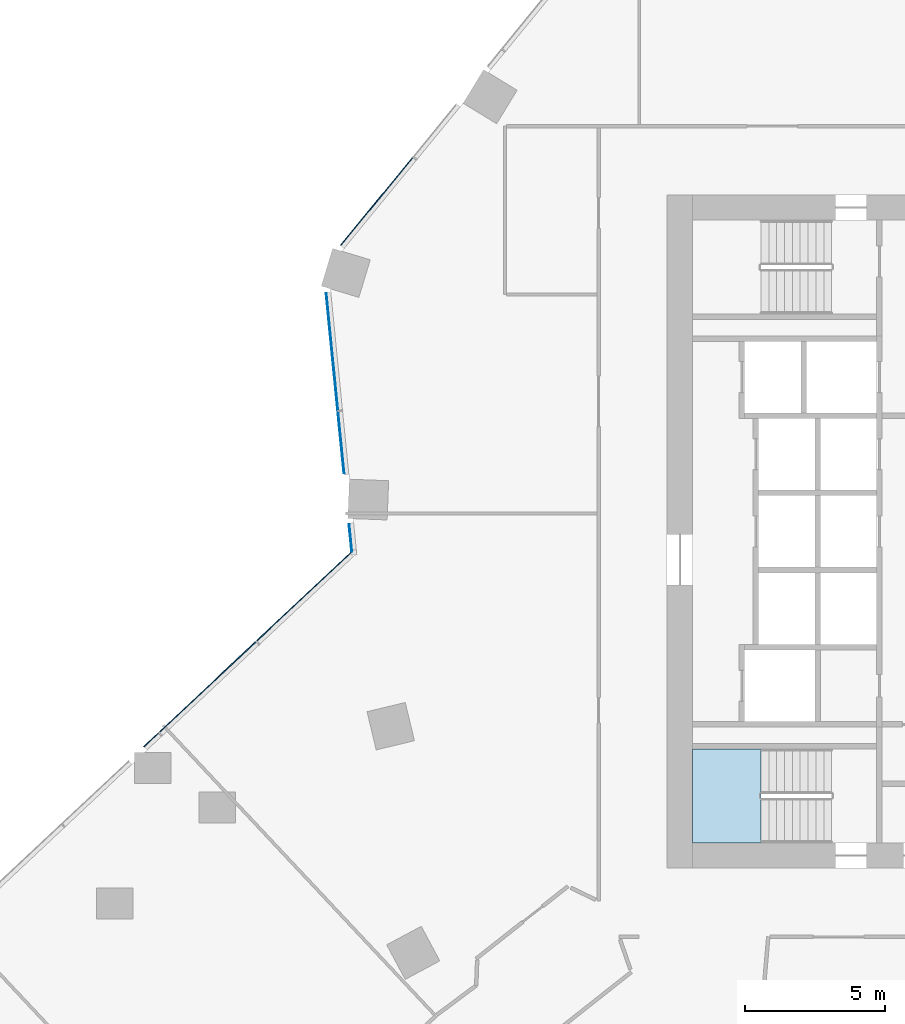
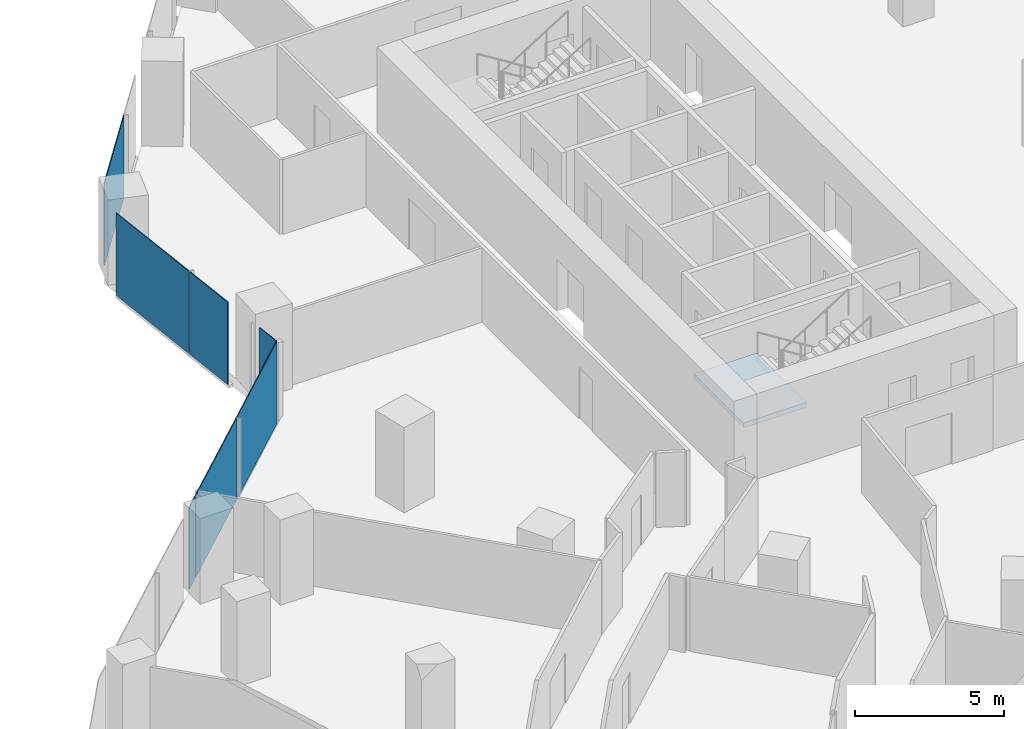
# One storey, part 19 of 34: 7 plates, 1 slab, 4 elements without a shape of their own.
"""IFC4 building model written with IfcOpenShell, lengths in metres."""

from ifc_helpers import new_model, si_unit, direction, frame, origin, origin_2d, place, context, subcontext, project, spatial, polyline, rectangle, outline, extrude, material, layer, layer_set, type_object, element, aggregate, save


model = new_model("IFC4")

# Units and contexts
model_context = context("Model", 3, precision=1e-05, world=origin(), true_north=direction((0.0, 1.0)))
body_context = subcontext(model_context, "Body", "Model", "MODEL_VIEW")
ifc_project = project(units=[si_unit("LENGTHUNIT", "METRE"), si_unit("AREAUNIT", "SQUARE_METRE"), si_unit("VOLUMEUNIT", "CUBIC_METRE"), si_unit("PLANEANGLEUNIT", "RADIAN"), si_unit("MASSUNIT", "GRAM", prefix="KILO")], contexts=[model_context])

# Site, building, storey
site_placement = place(None, origin())
site = spatial("IfcSite", under=ifc_project, at=site_placement, CompositionType="ELEMENT")
building_placement = place(site_placement, origin())
building = spatial("IfcBuilding", under=site, at=building_placement, Name="Orlundy Tower", CompositionType="ELEMENT")
storey_placement = place(building_placement, frame((0.0, 0.0, 47.800048828125)))
storey = spatial("IfcBuildingStorey", under=building, at=storey_placement, Name="L10", CompositionType="ELEMENT", Elevation=47.800048828125)

# Curtain wall, plates
ifc_material_1 = material(Name="Aluminium bronze anodised", Category="aluminium")
curtain_wall_type = type_object("IfcCurtainWallType", Name="CW1 wall", PredefinedType="NOTDEFINED", material=ifc_material_1)
curtain_wall_1_placement = place(storey_placement, origin())
curtain_wall_1 = element("IfcCurtainWall", 1, at=curtain_wall_1_placement, inside=storey, type_object=curtain_wall_type, Name="CW1 run 00", PredefinedType="NOTDEFINED")
ifc_material_2 = material(Name="Tinted glass", Category="glass")
ifc_layer_1 = layer(ifc_material_2, 0.031982421875)
ifc_layer_set_1 = layer_set([ifc_layer_1], Name="CW1 glass panel 32")
plate_type = type_object("IfcPlateType", Name="CW1 glass panel 32", PredefinedType="CURTAIN_PANEL", material=ifc_layer_set_1)
plate_1_placement = place(storey_placement, frame((-37.397705078125, -7.431640625, -0.300048828125), z_axis=(0.0, 0.0, 1.0), x_axis=(0.729351371178, 0.684139296752, 0.0)))
plate_1 = element("IfcPlate", 2, at=plate_1_placement, type_object=plate_type, Name="CW1 panel", PredefinedType="CURTAIN_PANEL", context=body_context, shape_type="SweptSolid", body=[
    extrude(rectangle(XDim=0.714599609375, YDim=0.031982421875, at=origin_2d()), origin(), (0.0, 0.0, 1.0), 3.3798828125),
])
plate_2_placement = place(storey_placement, frame((-35.384765625, -5.54345703125, -0.300048828125), z_axis=(0.0, 0.0, 1.0), x_axis=(0.729351371178, 0.684139296752, 0.0)))
plate_2 = element("IfcPlate", 3, at=plate_2_placement, type_object=plate_type, Name="CW1 panel", PredefinedType="CURTAIN_PANEL", context=body_context, shape_type="SweptSolid", body=[
    extrude(rectangle(XDim=4.705322265625, YDim=0.031982421875, at=origin_2d()), origin(), (0.0, 0.0, 1.0), 3.3798828125),
])
plate_3_placement = place(storey_placement, frame((-31.936767578125, -2.30908203125, -0.300048828125), z_axis=(0.0, 0.0, 1.0), x_axis=(0.729351371178, 0.684139296752, 0.0)))
plate_3 = element("IfcPlate", 4, at=plate_3_placement, type_object=plate_type, Name="CW1 panel", PredefinedType="CURTAIN_PANEL", context=body_context, shape_type="SweptSolid", body=[
    extrude(rectangle(XDim=4.6494140625, YDim=0.031982421875, at=origin_2d()), origin(), (0.0, 0.0, 1.0), 3.3798828125),
])
aggregate(curtain_wall_1, [plate_1, plate_2, plate_3])

curtain_wall_2_placement = place(storey_placement, origin())
curtain_wall_2 = element("IfcCurtainWall", 5, at=curtain_wall_2_placement, inside=storey, type_object=curtain_wall_type, Name="CW1 run 01", PredefinedType="NOTDEFINED")
plate_4_placement = place(storey_placement, frame((-30.289794921875, -0.228515625, -0.300048828125), z_axis=(0.0, 0.0, 1.0), x_axis=(-0.098671826867, 0.995120028229, 0.0)))
plate_4 = element("IfcPlate", 6, at=plate_4_placement, type_object=plate_type, Name="CW1 panel", PredefinedType="CURTAIN_PANEL", context=body_context, shape_type="SweptSolid", body=[
    extrude(rectangle(XDim=0.98486328125, YDim=0.031982421875, at=origin_2d()), origin(), (0.0, 0.0, 1.0), 3.3798828125),
])
plate_5_placement = place(storey_placement, frame((-30.626708984375, 3.169189453125, -0.300048828125), z_axis=(0.0, 0.0, 1.0), x_axis=(-0.098671826867, 0.995120028229, 0.0)))
plate_5 = element("IfcPlate", 7, at=plate_5_placement, type_object=plate_type, Name="CW1 panel", PredefinedType="CURTAIN_PANEL", context=body_context, shape_type="SweptSolid", body=[
    extrude(rectangle(XDim=2.210205078125, YDim=0.031982421875, at=origin_2d()), origin(), (0.0, 0.0, 1.0), 3.3798828125),
])
plate_6_placement = place(storey_placement, frame((-30.947265625, 6.40185546875, -0.300048828125), z_axis=(0.0, 0.0, 1.0), x_axis=(-0.098671826867, 0.995120028229, 0.0)))
plate_6 = element("IfcPlate", 8, at=plate_6_placement, type_object=plate_type, Name="CW1 panel", PredefinedType="CURTAIN_PANEL", context=body_context, shape_type="SweptSolid", body=[
    extrude(rectangle(XDim=4.186767578125, YDim=0.031982421875, at=origin_2d()), origin(), (0.0, 0.0, 1.0), 3.3798828125),
])
aggregate(curtain_wall_2, [plate_4, plate_5, plate_6])

# Curtain wall, plate
curtain_wall_3_placement = place(storey_placement, origin())
curtain_wall_3 = element("IfcCurtainWall", 9, at=curtain_wall_3_placement, inside=storey, type_object=curtain_wall_type, Name="CW1 run 02", PredefinedType="NOTDEFINED")
plate_7_placement = place(storey_placement, frame((-29.3525390625, 11.77001953125, -0.300048828125), z_axis=(0.0, 0.0, 1.0), x_axis=(0.633818264458, 0.773482002143, 0.0)))
plate_7 = element("IfcPlate", 10, at=plate_7_placement, type_object=plate_type, Name="CW1 panel", PredefinedType="CURTAIN_PANEL", context=body_context, shape_type="SweptSolid", body=[
    extrude(rectangle(XDim=4.039306640625, YDim=0.031982421875, at=origin_2d()), origin(), (0.0, 0.0, 1.0), 3.3798828125),
])
aggregate(curtain_wall_3, [plate_7])

# Stair, slab
ifc_material_3 = material(Name="Concrete C50/60", Category="concrete")
stair_type = type_object("IfcStairType", Name="Exit Stair 20 risers", PredefinedType="HALF_TURN_STAIR", material=ifc_material_3)
stair_placement = place(storey_placement, origin())
stair = element("IfcStair", 11, at=stair_placement, inside=storey, type_object=stair_type, Name="L10 Exit Stair ST-W2", PredefinedType="HALF_TURN_STAIR")
ifc_material_4 = material(Name="Concrete C50/60", Category="concrete")
ifc_layer_2 = layer(ifc_material_4, 0.199951171875)
ifc_layer_set_2 = layer_set([ifc_layer_2], Name="Exit Stair Landing")
slab_type = type_object("IfcSlabType", Name="Exit Stair Landing", PredefinedType="LANDING", material=ifc_layer_set_2)
slab_placement = place(storey_placement, frame((0.0, 0.0, 1.550048828125)))
slab = element("IfcSlab", 12, at=slab_placement, type_object=slab_type, Name="ST-W2 landing 1", PredefinedType="LANDING", context=body_context, shape_type="SweptSolid", body=[
    extrude(outline(polyline([(-15.659912109375, -7.75), (-18.10009765625, -7.75), (-18.10009765625, -11.10009765625), (-15.659912109375, -11.10009765625), (-15.659912109375, -7.75)])), origin(), (0.0, 0.0, 1.0), 0.199951171875),
])
aggregate(stair, [slab])

save(model, "model.ifc")
